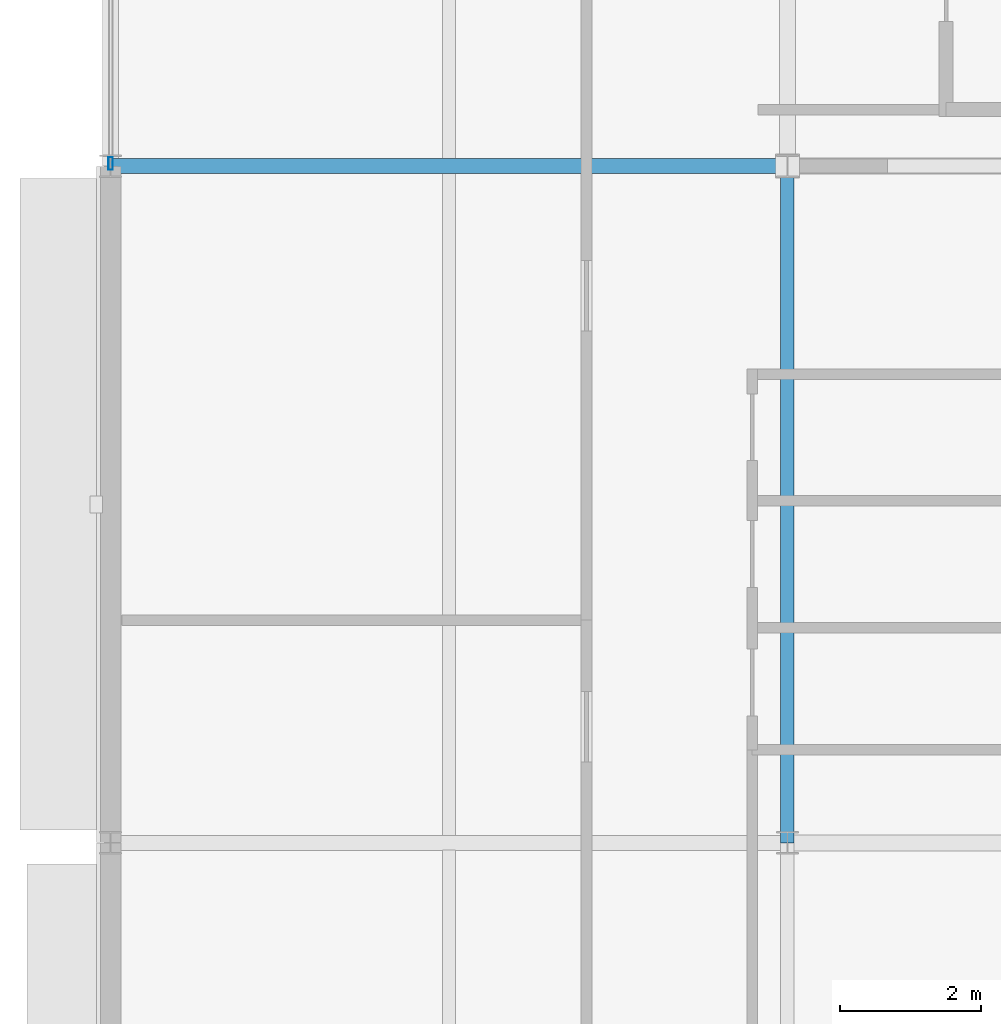
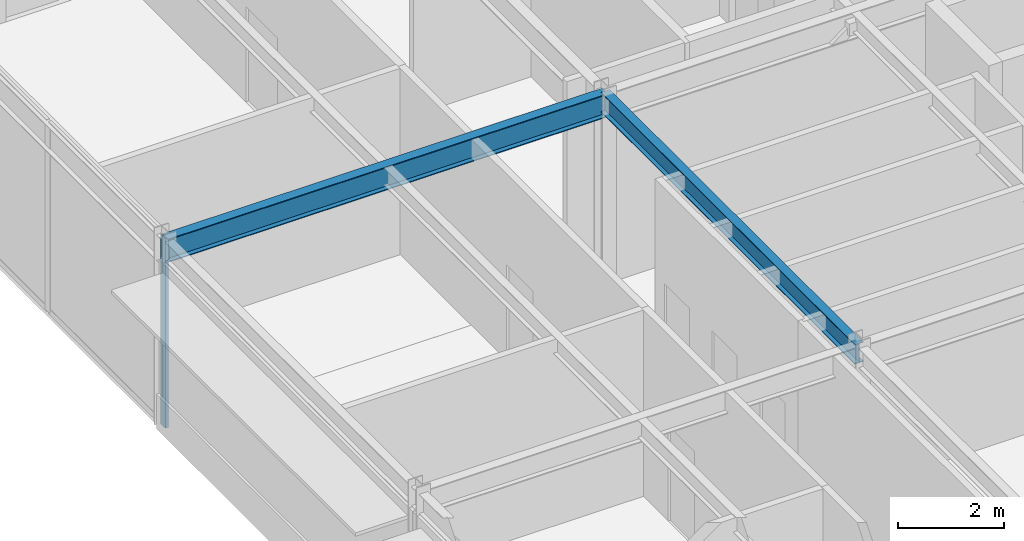
# One storey, part 8 of 18: 2 beams, 1 member, 1 element without a shape of its own.
"""IFC4 building model written with IfcOpenShell, lengths in metres."""

from ifc_helpers import new_model, si_unit, direction, frame, origin, origin_2d, place, context, subcontext, project, spatial, hollow_rectangle, i_section, extrude, material, material_profile, profile_set, type_object, element, aggregate, save


model = new_model("IFC4")

# Units and contexts
model_context = context("Model", 3, precision=1e-05, world=origin(), true_north=direction((0.0, 1.0)))
body_context = subcontext(model_context, "Body", "Model", "MODEL_VIEW")
ifc_project = project(units=[si_unit("LENGTHUNIT", "METRE"), si_unit("AREAUNIT", "SQUARE_METRE"), si_unit("VOLUMEUNIT", "CUBIC_METRE"), si_unit("PLANEANGLEUNIT", "RADIAN"), si_unit("MASSUNIT", "GRAM", prefix="KILO")], contexts=[model_context])

# Site, building, storey
site_placement = place(None, origin())
site = spatial("IfcSite", under=ifc_project, at=site_placement, CompositionType="ELEMENT")
building_placement = place(site_placement, origin())
building = spatial("IfcBuilding", under=site, at=building_placement, Name="Almandine Court Research Institute", CompositionType="ELEMENT")
storey_placement = place(building_placement, frame((0.0, 0.0, 37.10009765625)))
storey = spatial("IfcBuildingStorey", under=building, at=storey_placement, Name="L08", CompositionType="ELEMENT", Elevation=37.10009765625)

# Beams
ifc_material_1 = material(Name="Steel ASTM A992 Grade 50", Category="steel")
ifc_material_profile_1 = material_profile(ifc_material_1, i_section(OverallWidth=0.18994140625, OverallDepth=0.45703125, WebThickness=0.009033203125, FlangeThickness=0.014892578125, at=origin_2d()), Name="W460x74")
ifc_profile_set_1 = profile_set([ifc_material_profile_1], Name="Steel ASTM A992 Grade 50")
beam_type_1 = type_object("IfcBeamType", Name="Beam-B-01", PredefinedType="BEAM", material=ifc_profile_set_1)
beam_1_placement = place(storey_placement, frame((163.199951171875, 34.800048828125, 4.156982421875), z_axis=(0.0, 1.0, 0.0), x_axis=(-1.0, 0.0, 0.0)))
element("IfcBeam", 1, at=beam_1_placement, inside=storey, type_object=beam_type_1, Name="L08 V4 Primary Y Girder", PredefinedType="BEAM", context=body_context, shape_type="SweptSolid", body=[
    extrude(i_section(OverallWidth=0.18994140625, OverallDepth=0.45703125, WebThickness=0.009033203125, FlangeThickness=0.014892578125, at=origin_2d()), origin(), (0.0, 0.0, 1.0), 9.599853515625),
])
ifc_material_profile_2 = material_profile(ifc_material_1, i_section(OverallWidth=0.2109375, OverallDepth=0.5390625, WebThickness=0.011962890625, FlangeThickness=0.01904296875, at=origin_2d()), Name="W530x109")
ifc_profile_set_2 = profile_set([ifc_material_profile_2], Name="Steel ASTM A992 Grade 50")
beam_type_2 = type_object("IfcBeamType", Name="Beam-G-04", PredefinedType="BEAM", material=ifc_profile_set_2)
beam_2_placement = place(storey_placement, frame((153.60009765625, 44.39990234375, 4.114990234375), z_axis=(1.0, 0.0, 0.0), x_axis=(0.0, 1.0, 0.0)))
element("IfcBeam", 2, at=beam_2_placement, inside=storey, type_object=beam_type_2, Name="L08 V4 Primary X Girder", PredefinedType="BEAM", context=body_context, shape_type="SweptSolid", body=[
    extrude(i_section(OverallWidth=0.2109375, OverallDepth=0.5390625, WebThickness=0.011962890625, FlangeThickness=0.01904296875, at=origin_2d()), origin(), (0.0, 0.0, 1.0), 9.599853515625),
])

# Curtain wall, member
ifc_material_2 = material(Name="Unitised Curtain Wall Framing and Solar Glazing", Category="glass")
curtain_wall_type = type_object("IfcCurtainWallType", Name="CW-CWJ-15", PredefinedType="USERDEFINED", material=ifc_material_2)
curtain_wall_placement = place(storey_placement, origin())
curtain_wall = element("IfcCurtainWall", 3, at=curtain_wall_placement, inside=storey, type_object=curtain_wall_type, Name="L08 Wet Lab West Courtyard Jali Curtain Wall 5", ObjectType="SOLAR JALI SCREEN", PredefinedType="USERDEFINED")
ifc_material_3 = material(Name="Anodised Aluminium AW-6063-T6", Category="aluminium")
ifc_material_profile_3 = material_profile(ifc_material_3, hollow_rectangle(XDim=0.06494140625, YDim=0.179931640625, WallThickness=0.00390625, at=origin_2d()), Name="ALU RHS 65x180x4")
ifc_profile_set_3 = profile_set([ifc_material_profile_3], Name="Anodised Aluminium AW-6063-T6")
member_type = type_object("IfcMemberType", Name="CWMul-65x180", PredefinedType="MULLION", material=ifc_profile_set_3)
member_placement = place(storey_placement, frame((153.60009765625, 44.4365234375, 0.0), z_axis=(0.0, 0.0, 1.0), x_axis=(-1.0, 0.0, 0.0)))
member = element("IfcMember", 4, at=member_placement, type_object=member_type, Name="CWJ-15 mullion 1", PredefinedType="MULLION", context=body_context, shape_type="SweptSolid", body=[
    extrude(hollow_rectangle(XDim=0.06494140625, YDim=0.179931640625, WallThickness=0.00390625, at=origin_2d()), origin(), (0.0, 0.0, 1.0), 4.369873046875),
])
aggregate(curtain_wall, [member])

save(model, "model.ifc")
